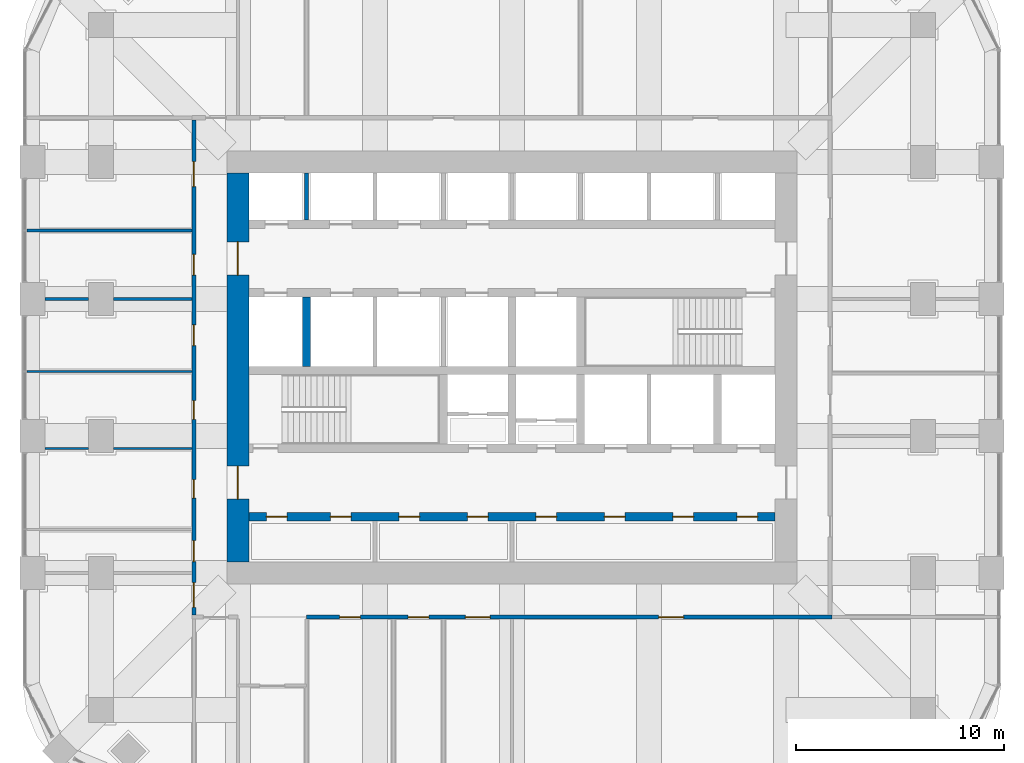
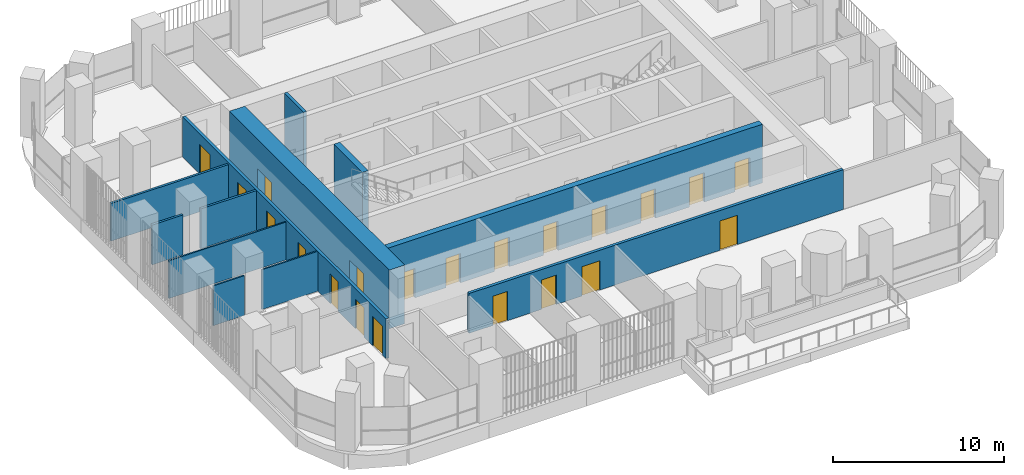
# One storey, part 13 of 19: 21 doors, 12 walls, 21 openings.
"""IFC4 building model written with IfcOpenShell, lengths in metres."""

from ifc_helpers import new_model, si_unit, direction, frame, frame_2d, origin, place, context, subcontext, project, spatial, rectangle, extrude, material, layer, layer_set, type_object, element, fill, save


model = new_model("IFC4")

# Units and contexts
model_context = context("Model", 3, precision=1e-05, world=origin(), true_north=direction((0.0, 1.0)))
body_context = subcontext(model_context, "Body", "Model", "MODEL_VIEW")
ifc_project = project(units=[si_unit("LENGTHUNIT", "METRE"), si_unit("AREAUNIT", "SQUARE_METRE"), si_unit("VOLUMEUNIT", "CUBIC_METRE"), si_unit("PLANEANGLEUNIT", "RADIAN"), si_unit("MASSUNIT", "GRAM", prefix="KILO")], contexts=[model_context])

# Site, building, storey
site_placement = place(None, origin())
site = spatial("IfcSite", under=ifc_project, at=site_placement, CompositionType="ELEMENT")
building_placement = place(site_placement, origin())
building = spatial("IfcBuilding", under=site, at=building_placement, Name="Cobogo Forest Laboratory Tower", CompositionType="ELEMENT")
storey_placement = place(building_placement, frame((0.0, 0.0, 164.10009765625)))
storey = spatial("IfcBuildingStorey", under=building, at=storey_placement, Name="L37", CompositionType="ELEMENT", Elevation=164.10009765625)

# Wall, openings, doors
ifc_material_1 = material(Name="Concrete HA-50 (C50/60)", Category="concrete")
ifc_layer_1 = layer(ifc_material_1, 0.39990234375)
ifc_layer_set_1 = layer_set([ifc_layer_1], Name="CI400 core inner wall 400")
wall_type_1 = type_object("IfcWallType", Name="CI400 core inner wall 400", PredefinedType="SHEAR", material=ifc_layer_set_1)
wall_1_placement = place(storey_placement, frame((13.72509765625, 15.89990234375, 0.0), z_axis=(0.0, 0.0, 1.0), x_axis=(1.0, 0.0, 0.0)))
wall_1 = element("IfcWall", 1, at=wall_1_placement, inside=storey, type_object=wall_type_1, Name="Core wall CI-15.9 L37", PredefinedType="SHEAR", context=body_context, shape_type="SweptSolid", body=[
    extrude(rectangle(XDim=25.349853515625, YDim=0.39990234375, at=frame_2d((12.6748046875, 0.0))), origin(), (0.0, 0.0, 1.0), 4.199951171875),
])
opening_1_placement = place(wall_1_placement, frame((0.83740234375, 0.0, 0.0)))
opening_1 = element("IfcOpeningElement", 2, at=opening_1_placement, cuts=wall_1, Name="Opening L37-D11", PredefinedType="OPENING", context=body_context, shape_type="SweptSolid", body=[
    extrude(rectangle(XDim=1.0, YDim=2.10009765625, at=frame_2d((0.5, 1.050048828125))), frame((0.0, 0.2099609375, 0.0), z_axis=(0.0, -1.0, 0.0), x_axis=(1.0, 0.0, 0.0)), (0.0, 0.0, 1.0), 0.419921875),
])
opening_2_placement = place(wall_1_placement, frame((3.925048828125, 0.0, 0.0)))
opening_2 = element("IfcOpeningElement", 3, at=opening_2_placement, cuts=wall_1, Name="Opening L37-D12", PredefinedType="OPENING", context=body_context, shape_type="SweptSolid", body=[
    extrude(rectangle(XDim=1.0, YDim=2.10009765625, at=frame_2d((0.5, 1.050048828125))), frame((0.0, 0.2099609375, 0.0), z_axis=(0.0, -1.0, 0.0), x_axis=(1.0, 0.0, 0.0)), (0.0, 0.0, 1.0), 0.419921875),
])
opening_3_placement = place(wall_1_placement, frame((7.22509765625, 0.0, 0.0)))
opening_3 = element("IfcOpeningElement", 4, at=opening_3_placement, cuts=wall_1, Name="Opening L37-D13", PredefinedType="OPENING", context=body_context, shape_type="SweptSolid", body=[
    extrude(rectangle(XDim=1.0, YDim=2.10009765625, at=frame_2d((0.5, 1.050048828125))), frame((0.0, 0.2099609375, 0.0), z_axis=(0.0, -1.0, 0.0), x_axis=(1.0, 0.0, 0.0)), (0.0, 0.0, 1.0), 0.419921875),
])
opening_4_placement = place(wall_1_placement, frame((10.52490234375, 0.0, 0.0)))
opening_4 = element("IfcOpeningElement", 5, at=opening_4_placement, cuts=wall_1, Name="Opening L37-D14", PredefinedType="OPENING", context=body_context, shape_type="SweptSolid", body=[
    extrude(rectangle(XDim=1.0, YDim=2.10009765625, at=frame_2d((0.5, 1.050048828125))), frame((0.0, 0.2099609375, 0.0), z_axis=(0.0, -1.0, 0.0), x_axis=(1.0, 0.0, 0.0)), (0.0, 0.0, 1.0), 0.419921875),
])
opening_5_placement = place(wall_1_placement, frame((13.824951171875, 0.0, 0.0)))
opening_5 = element("IfcOpeningElement", 6, at=opening_5_placement, cuts=wall_1, Name="Opening L37-D15", PredefinedType="OPENING", context=body_context, shape_type="SweptSolid", body=[
    extrude(rectangle(XDim=1.0, YDim=2.10009765625, at=frame_2d((0.5, 1.050048828125))), frame((0.0, 0.2099609375, 0.0), z_axis=(0.0, -1.0, 0.0), x_axis=(1.0, 0.0, 0.0)), (0.0, 0.0, 1.0), 0.419921875),
])
opening_6_placement = place(wall_1_placement, frame((17.125, 0.0, 0.0)))
opening_6 = element("IfcOpeningElement", 7, at=opening_6_placement, cuts=wall_1, Name="Opening L37-D16", PredefinedType="OPENING", context=body_context, shape_type="SweptSolid", body=[
    extrude(rectangle(XDim=1.0, YDim=2.10009765625, at=frame_2d((0.5, 1.050048828125))), frame((0.0, 0.2099609375, 0.0), z_axis=(0.0, -1.0, 0.0), x_axis=(1.0, 0.0, 0.0)), (0.0, 0.0, 1.0), 0.419921875),
])
opening_7_placement = place(wall_1_placement, frame((20.425048828125, 0.0, 0.0)))
opening_7 = element("IfcOpeningElement", 8, at=opening_7_placement, cuts=wall_1, Name="Opening L37-D17", PredefinedType="OPENING", context=body_context, shape_type="SweptSolid", body=[
    extrude(rectangle(XDim=1.0, YDim=2.10009765625, at=frame_2d((0.5, 1.050048828125))), frame((0.0, 0.2099609375, 0.0), z_axis=(0.0, -1.0, 0.0), x_axis=(1.0, 0.0, 0.0)), (0.0, 0.0, 1.0), 0.419921875),
])
opening_8_placement = place(wall_1_placement, frame((23.512451171875, 0.0, 0.0)))
opening_8 = element("IfcOpeningElement", 9, at=opening_8_placement, cuts=wall_1, Name="Opening L37-D18", PredefinedType="OPENING", context=body_context, shape_type="SweptSolid", body=[
    extrude(rectangle(XDim=1.0, YDim=2.10009765625, at=frame_2d((0.5, 1.050048828125))), frame((0.0, 0.2099609375, 0.0), z_axis=(0.0, -1.0, 0.0), x_axis=(1.0, 0.0, 0.0)), (0.0, 0.0, 1.0), 0.419921875),
])
ifc_material_2 = material(Name="Steel fire door", Category="steel")
door_type_1 = type_object("IfcDoorType", Name="FD1 fire door 1000 EI2 60", OperationType="SINGLE_SWING_LEFT", PredefinedType="DOOR", material=ifc_material_2)
door_1_placement = place(opening_1_placement, origin())
door_1 = element("IfcDoor", 10, at=door_1_placement, inside=storey, type_object=door_type_1, Name="Door L37-SH-LA1", OperationType="SINGLE_SWING_LEFT", OverallHeight=2.10009765625, OverallWidth=1.0, PredefinedType="DOOR", context=body_context, shape_type="SweptSolid", body=[
    extrude(rectangle(XDim=1.0, YDim=2.10009765625, at=frame_2d((0.5, 1.050048828125))), frame((0.0, 0.02490234375, 0.0), z_axis=(0.0, -1.0, 0.0), x_axis=(1.0, 0.0, 0.0)), (0.0, 0.0, 1.0), 0.050048828125),
])
fill(opening_1, door_1)
door_2_placement = place(opening_2_placement, origin())
door_2 = element("IfcDoor", 11, at=door_2_placement, inside=storey, type_object=door_type_1, Name="Door L37-SH-LA2", OperationType="SINGLE_SWING_LEFT", OverallHeight=2.10009765625, OverallWidth=1.0, PredefinedType="DOOR", context=body_context, shape_type="SweptSolid", body=[
    extrude(rectangle(XDim=1.0, YDim=2.10009765625, at=frame_2d((0.5, 1.050048828125))), frame((0.0, 0.02490234375, 0.0), z_axis=(0.0, -1.0, 0.0), x_axis=(1.0, 0.0, 0.0)), (0.0, 0.0, 1.0), 0.050048828125),
])
fill(opening_2, door_2)
door_3_placement = place(opening_3_placement, origin())
door_3 = element("IfcDoor", 12, at=door_3_placement, inside=storey, type_object=door_type_1, Name="Door L37-SH-LA3", OperationType="SINGLE_SWING_LEFT", OverallHeight=2.10009765625, OverallWidth=1.0, PredefinedType="DOOR", context=body_context, shape_type="SweptSolid", body=[
    extrude(rectangle(XDim=1.0, YDim=2.10009765625, at=frame_2d((0.5, 1.050048828125))), frame((0.0, 0.02490234375, 0.0), z_axis=(0.0, -1.0, 0.0), x_axis=(1.0, 0.0, 0.0)), (0.0, 0.0, 1.0), 0.050048828125),
])
fill(opening_3, door_3)
door_4_placement = place(opening_4_placement, origin())
door_4 = element("IfcDoor", 13, at=door_4_placement, inside=storey, type_object=door_type_1, Name="Door L37-SH-LA4", OperationType="SINGLE_SWING_LEFT", OverallHeight=2.10009765625, OverallWidth=1.0, PredefinedType="DOOR", context=body_context, shape_type="SweptSolid", body=[
    extrude(rectangle(XDim=1.0, YDim=2.10009765625, at=frame_2d((0.5, 1.050048828125))), frame((0.0, 0.02490234375, 0.0), z_axis=(0.0, -1.0, 0.0), x_axis=(1.0, 0.0, 0.0)), (0.0, 0.0, 1.0), 0.050048828125),
])
fill(opening_4, door_4)
door_5_placement = place(opening_5_placement, origin())
door_5 = element("IfcDoor", 14, at=door_5_placement, inside=storey, type_object=door_type_1, Name="Door L37-SH-LB1", OperationType="SINGLE_SWING_RIGHT", OverallHeight=2.10009765625, OverallWidth=1.0, PredefinedType="DOOR", context=body_context, shape_type="SweptSolid", body=[
    extrude(rectangle(XDim=1.0, YDim=2.10009765625, at=frame_2d((0.5, 1.050048828125))), frame((0.0, 0.02490234375, 0.0), z_axis=(0.0, -1.0, 0.0), x_axis=(1.0, 0.0, 0.0)), (0.0, 0.0, 1.0), 0.050048828125),
])
fill(opening_5, door_5)
door_6_placement = place(opening_6_placement, origin())
door_6 = element("IfcDoor", 15, at=door_6_placement, inside=storey, type_object=door_type_1, Name="Door L37-SH-LB2", OperationType="SINGLE_SWING_RIGHT", OverallHeight=2.10009765625, OverallWidth=1.0, PredefinedType="DOOR", context=body_context, shape_type="SweptSolid", body=[
    extrude(rectangle(XDim=1.0, YDim=2.10009765625, at=frame_2d((0.5, 1.050048828125))), frame((0.0, 0.02490234375, 0.0), z_axis=(0.0, -1.0, 0.0), x_axis=(1.0, 0.0, 0.0)), (0.0, 0.0, 1.0), 0.050048828125),
])
fill(opening_6, door_6)
door_7_placement = place(opening_7_placement, origin())
door_7 = element("IfcDoor", 16, at=door_7_placement, inside=storey, type_object=door_type_1, Name="Door L37-SH-LB3", OperationType="SINGLE_SWING_RIGHT", OverallHeight=2.10009765625, OverallWidth=1.0, PredefinedType="DOOR", context=body_context, shape_type="SweptSolid", body=[
    extrude(rectangle(XDim=1.0, YDim=2.10009765625, at=frame_2d((0.5, 1.050048828125))), frame((0.0, 0.02490234375, 0.0), z_axis=(0.0, -1.0, 0.0), x_axis=(1.0, 0.0, 0.0)), (0.0, 0.0, 1.0), 0.050048828125),
])
fill(opening_7, door_7)
door_8_placement = place(opening_8_placement, origin())
door_8 = element("IfcDoor", 17, at=door_8_placement, inside=storey, type_object=door_type_1, Name="Door L37-SH-LB4", OperationType="SINGLE_SWING_RIGHT", OverallHeight=2.10009765625, OverallWidth=1.0, PredefinedType="DOOR", context=body_context, shape_type="SweptSolid", body=[
    extrude(rectangle(XDim=1.0, YDim=2.10009765625, at=frame_2d((0.5, 1.050048828125))), frame((0.0, 0.02490234375, 0.0), z_axis=(0.0, -1.0, 0.0), x_axis=(1.0, 0.0, 0.0)), (0.0, 0.0, 1.0), 0.050048828125),
])
fill(opening_8, door_8)

# Wall
wall_2_placement = place(storey_placement, frame((16.5, 23.14990234375, 0.0), z_axis=(0.0, 0.0, 1.0), x_axis=(0.0, 1.0, 0.0)))
element("IfcWall", 18, at=wall_2_placement, inside=storey, type_object=wall_type_1, Name="Core wall CX-16.5 L37", PredefinedType="SHEAR", context=body_context, shape_type="SweptSolid", body=[
    extrude(rectangle(XDim=3.35009765625, YDim=0.39990234375, at=frame_2d((1.675048828125, 0.0))), origin(), (0.0, 0.0, 1.0), 4.199951171875),
])

# Wall, openings, doors
ifc_layer_2 = layer(ifc_material_1, 1.050048828125)
ifc_layer_set_2 = layer_set([ifc_layer_2], Name="CW1050 core outer wall 1050")
wall_type_2 = type_object("IfcWallType", Name="CW1050 core outer wall 1050", PredefinedType="SHEAR", material=ifc_layer_set_2)
wall_3_placement = place(storey_placement, frame((13.199951171875, 32.47509765625, 0.0), z_axis=(0.0, 0.0, 1.0), x_axis=(0.0, -1.0, 0.0)))
wall_3 = element("IfcWall", 19, at=wall_3_placement, inside=storey, type_object=wall_type_2, Name="Core wall CO-W L37", PredefinedType="SHEAR", context=body_context, shape_type="SweptSolid", body=[
    extrude(rectangle(XDim=18.75, YDim=1.050048828125, at=frame_2d((9.375, 0.0))), origin(), (0.0, 0.0, 1.0), 4.199951171875),
])
opening_9_placement = place(wall_3_placement, frame((14.125, 0.0, 0.0)))
opening_9 = element("IfcOpeningElement", 20, at=opening_9_placement, cuts=wall_3, Name="Opening L37-D20", PredefinedType="OPENING", context=body_context, shape_type="SweptSolid", body=[
    extrude(rectangle(XDim=1.60009765625, YDim=2.10009765625, at=frame_2d((0.800048828125, 1.050048828125))), frame((0.0, 0.534912109375, 0.0), z_axis=(0.0, -1.0, 0.0), x_axis=(1.0, 0.0, 0.0)), (0.0, 0.0, 1.0), 1.070068359375),
])
opening_10_placement = place(wall_3_placement, frame((3.324951171875, 0.0, 0.0)))
opening_10 = element("IfcOpeningElement", 21, at=opening_10_placement, cuts=wall_3, Name="Opening L37-D33", PredefinedType="OPENING", context=body_context, shape_type="SweptSolid", body=[
    extrude(rectangle(XDim=1.60009765625, YDim=2.10009765625, at=frame_2d((0.800048828125, 1.050048828125))), frame((0.0, 0.534912109375, 0.0), z_axis=(0.0, -1.0, 0.0), x_axis=(1.0, 0.0, 0.0)), (0.0, 0.0, 1.0), 1.070068359375),
])
door_type_2 = type_object("IfcDoorType", Name="DS2 protected lobby door pair 1600 EI2 60", OperationType="DOUBLE_DOOR_DOUBLE_SWING", PredefinedType="DOOR", material=ifc_material_2)
door_9_placement = place(opening_9_placement, origin())
door_9 = element("IfcDoor", 22, at=door_9_placement, inside=storey, type_object=door_type_2, Name="Door L37-CO-W-S", OperationType="DOUBLE_DOOR_DOUBLE_SWING", OverallHeight=2.10009765625, OverallWidth=1.60009765625, PredefinedType="DOOR", context=body_context, shape_type="SweptSolid", body=[
    extrude(rectangle(XDim=1.60009765625, YDim=2.10009765625, at=frame_2d((0.800048828125, 1.050048828125))), frame((0.0, 0.02490234375, 0.0), z_axis=(0.0, -1.0, 0.0), x_axis=(1.0, 0.0, 0.0)), (0.0, 0.0, 1.0), 0.050048828125),
])
fill(opening_9, door_9)
door_10_placement = place(opening_10_placement, origin())
door_10 = element("IfcDoor", 23, at=door_10_placement, inside=storey, type_object=door_type_2, Name="Door L37-CO-W-N", OperationType="DOUBLE_DOOR_DOUBLE_SWING", OverallHeight=2.10009765625, OverallWidth=1.60009765625, PredefinedType="DOOR", context=body_context, shape_type="SweptSolid", body=[
    extrude(rectangle(XDim=1.60009765625, YDim=2.10009765625, at=frame_2d((0.800048828125, 1.050048828125))), frame((0.0, 0.02490234375, 0.0), z_axis=(0.0, -1.0, 0.0), x_axis=(1.0, 0.0, 0.0)), (0.0, 0.0, 1.0), 0.050048828125),
])
fill(opening_10, door_10)

# Walls
ifc_material_3 = material(Name="Gypsum board on steel studs", Category="steel")
ifc_layer_3 = layer(ifc_material_3, 0.14990234375)
ifc_layer_set_3 = layer_set([ifc_layer_3], Name="PT1 laboratory partition 150")
wall_type_3 = type_object("IfcWallType", Name="PT1 laboratory partition 150", PredefinedType="PARTITIONING", material=ifc_layer_set_3)
wall_4_placement = place(storey_placement, frame((3.89990234375, 26.39990234375, 0.0), z_axis=(0.0, 0.0, 1.0), x_axis=(1.0, 0.0, 0.0)))
element("IfcWall", 24, at=wall_4_placement, inside=storey, type_object=wall_type_3, Name="Partition CUT-W26.4-1 L37", PredefinedType="PARTITIONING", context=body_context, shape_type="SweptSolid", body=[
    extrude(rectangle(XDim=2.10009765625, YDim=0.14990234375, at=frame_2d((1.050048828125, 0.0))), origin(), (0.0, 0.0, 1.0), 2.849853515625),
])
wall_5_placement = place(storey_placement, frame((7.199951171875, 26.39990234375, 0.0), z_axis=(0.0, 0.0, 1.0), x_axis=(1.0, 0.0, 0.0)))
element("IfcWall", 25, at=wall_5_placement, inside=storey, type_object=wall_type_3, Name="Partition CUT-W26.4-2 L37", PredefinedType="PARTITIONING", context=body_context, shape_type="SweptSolid", body=[
    extrude(rectangle(XDim=3.775146484375, YDim=0.14990234375, at=frame_2d((1.8876953125, 0.0))), origin(), (0.0, 0.0, 1.0), 2.849853515625),
])
wall_6_placement = place(storey_placement, frame((3.030029296875, 29.699951171875, 0.0), z_axis=(0.0, 0.0, 1.0), x_axis=(1.0, 0.0, 0.0)))
element("IfcWall", 26, at=wall_6_placement, inside=storey, type_object=wall_type_3, Name="Partition CUT-W29.7-1 L37", PredefinedType="PARTITIONING", context=body_context, shape_type="SweptSolid", body=[
    extrude(rectangle(XDim=7.945068359375, YDim=0.14990234375, at=frame_2d((3.97265625, 0.0))), origin(), (0.0, 0.0, 1.0), 2.699951171875),
])

# Wall, openings, doors
ifc_layer_4 = layer(ifc_material_3, 0.199951171875)
ifc_layer_set_4 = layer_set([ifc_layer_4], Name="PT2 fire-rated corridor partition 200")
wall_type_4 = type_object("IfcWallType", Name="PT2 fire-rated corridor partition 200", PredefinedType="PARTITIONING", material=ifc_layer_set_4)
wall_7_placement = place(storey_placement, frame((16.5, 11.074951171875, 0.0), z_axis=(0.0, 0.0, 1.0), x_axis=(1.0, 0.0, 0.0)))
wall_7 = element("IfcWall", 27, at=wall_7_placement, inside=storey, type_object=wall_type_4, Name="Partition CORR-S-2 L37", PredefinedType="PARTITIONING", context=body_context, shape_type="SweptSolid", body=[
    extrude(rectangle(XDim=25.324951171875, YDim=0.199951171875, at=frame_2d((12.66259765625, 0.0))), origin(), (0.0, 0.0, 1.0), 2.849853515625),
])
opening_11_placement = place(wall_7_placement, frame((1.60009765625, 0.0, 0.0)))
opening_11 = element("IfcOpeningElement", 28, at=opening_11_placement, cuts=wall_7, Name="Opening L37-D04", PredefinedType="OPENING", context=body_context, shape_type="SweptSolid", body=[
    extrude(rectangle(XDim=1.0, YDim=2.10009765625, at=frame_2d((0.5, 1.050048828125))), frame((0.0, 0.10986328125, 0.0), z_axis=(0.0, -1.0, 0.0), x_axis=(1.0, 0.0, 0.0)), (0.0, 0.0, 1.0), 0.219970703125),
])
opening_12_placement = place(wall_7_placement, frame((4.89990234375, 0.0, 0.0)))
opening_12 = element("IfcOpeningElement", 29, at=opening_12_placement, cuts=wall_7, Name="Opening L37-D05", PredefinedType="OPENING", context=body_context, shape_type="SweptSolid", body=[
    extrude(rectangle(XDim=1.0, YDim=2.10009765625, at=frame_2d((0.5, 1.050048828125))), frame((0.0, 0.10986328125, 0.0), z_axis=(0.0, -1.0, 0.0), x_axis=(1.0, 0.0, 0.0)), (0.0, 0.0, 1.0), 0.219970703125),
])
opening_13_placement = place(wall_7_placement, frame((7.64990234375, 0.0, 0.0)))
opening_13 = element("IfcOpeningElement", 30, at=opening_13_placement, cuts=wall_7, Name="Opening L37-D06", PredefinedType="OPENING", context=body_context, shape_type="SweptSolid", body=[
    extrude(rectangle(XDim=1.199951171875, YDim=2.10009765625, at=frame_2d((0.60009765625, 1.050048828125))), frame((0.0, 0.10986328125, 0.0), z_axis=(0.0, -1.0, 0.0), x_axis=(1.0, 0.0, 0.0)), (0.0, 0.0, 1.0), 0.219970703125),
])
opening_14_placement = place(wall_7_placement, frame((16.96240234375, 0.0, 0.0)))
opening_14 = element("IfcOpeningElement", 31, at=opening_14_placement, cuts=wall_7, Name="Opening L37-D07", PredefinedType="OPENING", context=body_context, shape_type="SweptSolid", body=[
    extrude(rectangle(XDim=1.199951171875, YDim=2.10009765625, at=frame_2d((0.60009765625, 1.050048828125))), frame((0.0, 0.10986328125, 0.0), z_axis=(0.0, -1.0, 0.0), x_axis=(1.0, 0.0, 0.0)), (0.0, 0.0, 1.0), 0.219970703125),
])
ifc_material_4 = material(Name="Timber door", Category="wood")
door_type_3 = type_object("IfcDoorType", Name="D2 laboratory door 1200 unequal pair", OperationType="DOUBLE_DOOR_SINGLE_SWING", PredefinedType="DOOR", material=ifc_material_4)
door_11_placement = place(opening_13_placement, origin())
door_11 = element("IfcDoor", 32, at=door_11_placement, inside=storey, type_object=door_type_3, Name="Door L37-S3", OperationType="DOUBLE_DOOR_SINGLE_SWING", OverallHeight=2.10009765625, OverallWidth=1.199951171875, PredefinedType="DOOR", context=body_context, shape_type="SweptSolid", body=[
    extrude(rectangle(XDim=1.199951171875, YDim=2.10009765625, at=frame_2d((0.60009765625, 1.050048828125))), frame((0.0, 0.02490234375, 0.0), z_axis=(0.0, -1.0, 0.0), x_axis=(1.0, 0.0, 0.0)), (0.0, 0.0, 1.0), 0.050048828125),
])
fill(opening_13, door_11)
door_12_placement = place(opening_14_placement, origin())
door_12 = element("IfcDoor", 33, at=door_12_placement, inside=storey, type_object=door_type_3, Name="Door L37-S4", OperationType="DOUBLE_DOOR_SINGLE_SWING", OverallHeight=2.10009765625, OverallWidth=1.199951171875, PredefinedType="DOOR", context=body_context, shape_type="SweptSolid", body=[
    extrude(rectangle(XDim=1.199951171875, YDim=2.10009765625, at=frame_2d((0.60009765625, 1.050048828125))), frame((0.0, 0.02490234375, 0.0), z_axis=(0.0, -1.0, 0.0), x_axis=(1.0, 0.0, 0.0)), (0.0, 0.0, 1.0), 0.050048828125),
])
fill(opening_14, door_12)
ifc_material_5 = material(Name="Timber fire door", Category="wood")
door_type_4 = type_object("IfcDoorType", Name="FD2 fire door 1000 EI2 30", OperationType="SINGLE_SWING_LEFT", PredefinedType="DOOR", material=ifc_material_5)
door_13_placement = place(opening_11_placement, origin())
door_13 = element("IfcDoor", 34, at=door_13_placement, inside=storey, type_object=door_type_4, Name="Door L37-MTG", OperationType="SINGLE_SWING_LEFT", OverallHeight=2.10009765625, OverallWidth=1.0, PredefinedType="DOOR", context=body_context, shape_type="SweptSolid", body=[
    extrude(rectangle(XDim=1.0, YDim=2.10009765625, at=frame_2d((0.5, 1.050048828125))), frame((0.0, 0.02490234375, 0.0), z_axis=(0.0, -1.0, 0.0), x_axis=(1.0, 0.0, 0.0)), (0.0, 0.0, 1.0), 0.050048828125),
])
fill(opening_11, door_13)
door_14_placement = place(opening_12_placement, origin())
door_14 = element("IfcDoor", 35, at=door_14_placement, inside=storey, type_object=door_type_4, Name="Door L37-PAN", OperationType="SINGLE_SWING_LEFT", OverallHeight=2.10009765625, OverallWidth=1.0, PredefinedType="DOOR", context=body_context, shape_type="SweptSolid", body=[
    extrude(rectangle(XDim=1.0, YDim=2.10009765625, at=frame_2d((0.5, 1.050048828125))), frame((0.0, 0.02490234375, 0.0), z_axis=(0.0, -1.0, 0.0), x_axis=(1.0, 0.0, 0.0)), (0.0, 0.0, 1.0), 0.050048828125),
])
fill(opening_12, door_14)

wall_8_placement = place(storey_placement, frame((11.074951171875, 11.175048828125, 0.0), z_axis=(0.0, 0.0, 1.0), x_axis=(0.0, 1.0, 0.0)))
wall_8 = element("IfcWall", 36, at=wall_8_placement, inside=storey, type_object=wall_type_4, Name="Partition CORR-W L37", PredefinedType="PARTITIONING", context=body_context, shape_type="SweptSolid", body=[
    extrude(rectangle(XDim=23.849853515625, YDim=0.199951171875, at=frame_2d((11.9248046875, 0.0))), origin(), (0.0, 0.0, 1.0), 2.849853515625),
])
opening_15_placement = place(wall_8_placement, frame((0.362548828125, 0.0, 0.0)))
opening_15 = element("IfcOpeningElement", 37, at=opening_15_placement, cuts=wall_8, Name="Opening L37-D08", PredefinedType="OPENING", context=body_context, shape_type="SweptSolid", body=[
    extrude(rectangle(XDim=1.199951171875, YDim=2.10009765625, at=frame_2d((0.60009765625, 1.050048828125))), frame((0.0, 0.10986328125, 0.0), z_axis=(0.0, -1.0, 0.0), x_axis=(1.0, 0.0, 0.0)), (0.0, 0.0, 1.0), 0.219970703125),
])
opening_16_placement = place(wall_8_placement, frame((2.574951171875, 0.0, 0.0)))
opening_16 = element("IfcOpeningElement", 38, at=opening_16_placement, cuts=wall_8, Name="Opening L37-D09", PredefinedType="OPENING", context=body_context, shape_type="SweptSolid", body=[
    extrude(rectangle(XDim=1.0, YDim=2.10009765625, at=frame_2d((0.5, 1.050048828125))), frame((0.0, 0.10986328125, 0.0), z_axis=(0.0, -1.0, 0.0), x_axis=(1.0, 0.0, 0.0)), (0.0, 0.0, 1.0), 0.219970703125),
])
opening_17_placement = place(wall_8_placement, frame((5.625, 0.0, 0.0)))
opening_17 = element("IfcOpeningElement", 39, at=opening_17_placement, cuts=wall_8, Name="Opening L37-D19", PredefinedType="OPENING", context=body_context, shape_type="SweptSolid", body=[
    extrude(rectangle(XDim=0.89990234375, YDim=2.10009765625, at=frame_2d((0.449951171875, 1.050048828125))), frame((0.0, 0.10986328125, 0.0), z_axis=(0.0, -1.0, 0.0), x_axis=(1.0, 0.0, 0.0)), (0.0, 0.0, 1.0), 0.219970703125),
])
opening_18_placement = place(wall_8_placement, frame((9.425048828125, 0.0, 0.0)))
opening_18 = element("IfcOpeningElement", 40, at=opening_18_placement, cuts=wall_8, Name="Opening L37-D27", PredefinedType="OPENING", context=body_context, shape_type="SweptSolid", body=[
    extrude(rectangle(XDim=0.89990234375, YDim=2.10009765625, at=frame_2d((0.449951171875, 1.050048828125))), frame((0.0, 0.10986328125, 0.0), z_axis=(0.0, -1.0, 0.0), x_axis=(1.0, 0.0, 0.0)), (0.0, 0.0, 1.0), 0.219970703125),
])
opening_19_placement = place(wall_8_placement, frame((12.97509765625, 0.0, 0.0)))
opening_19 = element("IfcOpeningElement", 41, at=opening_19_placement, cuts=wall_8, Name="Opening L37-D30", PredefinedType="OPENING", context=body_context, shape_type="SweptSolid", body=[
    extrude(rectangle(XDim=1.0, YDim=2.10009765625, at=frame_2d((0.5, 1.050048828125))), frame((0.0, 0.10986328125, 0.0), z_axis=(0.0, -1.0, 0.0), x_axis=(1.0, 0.0, 0.0)), (0.0, 0.0, 1.0), 0.219970703125),
])
opening_20_placement = place(wall_8_placement, frame((16.375, 0.0, 0.0)))
opening_20 = element("IfcOpeningElement", 42, at=opening_20_placement, cuts=wall_8, Name="Opening L37-D32", PredefinedType="OPENING", context=body_context, shape_type="SweptSolid", body=[
    extrude(rectangle(XDim=1.0, YDim=2.10009765625, at=frame_2d((0.5, 1.050048828125))), frame((0.0, 0.10986328125, 0.0), z_axis=(0.0, -1.0, 0.0), x_axis=(1.0, 0.0, 0.0)), (0.0, 0.0, 1.0), 0.219970703125),
])
opening_21_placement = place(wall_8_placement, frame((20.637451171875, 0.0, 0.0)))
opening_21 = element("IfcOpeningElement", 43, at=opening_21_placement, cuts=wall_8, Name="Opening L37-D36", PredefinedType="OPENING", context=body_context, shape_type="SweptSolid", body=[
    extrude(rectangle(XDim=1.199951171875, YDim=2.10009765625, at=frame_2d((0.60009765625, 1.050048828125))), frame((0.0, 0.10986328125, 0.0), z_axis=(0.0, -1.0, 0.0), x_axis=(1.0, 0.0, 0.0)), (0.0, 0.0, 1.0), 0.219970703125),
])
door_15_placement = place(opening_15_placement, origin())
door_15 = element("IfcDoor", 44, at=door_15_placement, inside=storey, type_object=door_type_3, Name="Door L37-W1", OperationType="DOUBLE_DOOR_SINGLE_SWING", OverallHeight=2.10009765625, OverallWidth=1.199951171875, PredefinedType="DOOR", context=body_context, shape_type="SweptSolid", body=[
    extrude(rectangle(XDim=1.199951171875, YDim=2.10009765625, at=frame_2d((0.60009765625, 1.050048828125))), frame((0.0, 0.02490234375, 0.0), z_axis=(0.0, -1.0, 0.0), x_axis=(1.0, 0.0, 0.0)), (0.0, 0.0, 1.0), 0.050048828125),
])
fill(opening_15, door_15)
door_16_placement = place(opening_21_placement, origin())
door_16 = element("IfcDoor", 45, at=door_16_placement, inside=storey, type_object=door_type_3, Name="Door L37-W4", OperationType="DOUBLE_DOOR_SINGLE_SWING", OverallHeight=2.10009765625, OverallWidth=1.199951171875, PredefinedType="DOOR", context=body_context, shape_type="SweptSolid", body=[
    extrude(rectangle(XDim=1.199951171875, YDim=2.10009765625, at=frame_2d((0.60009765625, 1.050048828125))), frame((0.0, 0.02490234375, 0.0), z_axis=(0.0, -1.0, 0.0), x_axis=(1.0, 0.0, 0.0)), (0.0, 0.0, 1.0), 0.050048828125),
])
fill(opening_21, door_16)
door_17_placement = place(opening_19_placement, origin())
door_17 = element("IfcDoor", 46, at=door_17_placement, inside=storey, type_object=door_type_4, Name="Door L37-SHW", OperationType="SINGLE_SWING_RIGHT", OverallHeight=2.10009765625, OverallWidth=1.0, PredefinedType="DOOR", context=body_context, shape_type="SweptSolid", body=[
    extrude(rectangle(XDim=1.0, YDim=2.10009765625, at=frame_2d((0.5, 1.050048828125))), frame((0.0, 0.02490234375, 0.0), z_axis=(0.0, -1.0, 0.0), x_axis=(1.0, 0.0, 0.0)), (0.0, 0.0, 1.0), 0.050048828125),
])
fill(opening_19, door_17)
door_18_placement = place(opening_20_placement, origin())
door_18 = element("IfcDoor", 47, at=door_18_placement, inside=storey, type_object=door_type_4, Name="Door L37-W3", OperationType="SINGLE_SWING_RIGHT", OverallHeight=2.10009765625, OverallWidth=1.0, PredefinedType="DOOR", context=body_context, shape_type="SweptSolid", body=[
    extrude(rectangle(XDim=1.0, YDim=2.10009765625, at=frame_2d((0.5, 1.050048828125))), frame((0.0, 0.02490234375, 0.0), z_axis=(0.0, -1.0, 0.0), x_axis=(1.0, 0.0, 0.0)), (0.0, 0.0, 1.0), 0.050048828125),
])
fill(opening_20, door_18)
door_type_5 = type_object("IfcDoorType", Name="FD3 toilet fire door 900 EI2 30", OperationType="SINGLE_SWING_LEFT", PredefinedType="DOOR", material=ifc_material_5)
door_19_placement = place(opening_17_placement, origin())
door_19 = element("IfcDoor", 48, at=door_19_placement, inside=storey, type_object=door_type_5, Name="Door L37-WCF", OperationType="SINGLE_SWING_LEFT", OverallHeight=2.10009765625, OverallWidth=0.89990234375, PredefinedType="DOOR", context=body_context, shape_type="SweptSolid", body=[
    extrude(rectangle(XDim=0.89990234375, YDim=2.10009765625, at=frame_2d((0.449951171875, 1.050048828125))), frame((0.0, 0.02490234375, 0.0), z_axis=(0.0, -1.0, 0.0), x_axis=(1.0, 0.0, 0.0)), (0.0, 0.0, 1.0), 0.050048828125),
])
fill(opening_17, door_19)
door_20_placement = place(opening_18_placement, origin())
door_20 = element("IfcDoor", 49, at=door_20_placement, inside=storey, type_object=door_type_5, Name="Door L37-WCM", OperationType="SINGLE_SWING_LEFT", OverallHeight=2.10009765625, OverallWidth=0.89990234375, PredefinedType="DOOR", context=body_context, shape_type="SweptSolid", body=[
    extrude(rectangle(XDim=0.89990234375, YDim=2.10009765625, at=frame_2d((0.449951171875, 1.050048828125))), frame((0.0, 0.02490234375, 0.0), z_axis=(0.0, -1.0, 0.0), x_axis=(1.0, 0.0, 0.0)), (0.0, 0.0, 1.0), 0.050048828125),
])
fill(opening_18, door_20)
door_type_6 = type_object("IfcDoorType", Name="FDA1 accessible toilet fire door 1000 EI2 30", OperationType="SINGLE_SWING_RIGHT", PredefinedType="DOOR", material=ifc_material_5)
door_21_placement = place(opening_16_placement, origin())
door_21 = element("IfcDoor", 50, at=door_21_placement, inside=storey, type_object=door_type_6, Name="Door L37-WCA", OperationType="SINGLE_SWING_LEFT", OverallHeight=2.10009765625, OverallWidth=1.0, PredefinedType="DOOR", context=body_context, shape_type="SweptSolid", body=[
    extrude(rectangle(XDim=1.0, YDim=2.10009765625, at=frame_2d((0.5, 1.050048828125))), frame((0.0, 0.02490234375, 0.0), z_axis=(0.0, -1.0, 0.0), x_axis=(1.0, 0.0, 0.0)), (0.0, 0.0, 1.0), 0.050048828125),
])
fill(opening_16, door_21)

# Walls
ifc_layer_5 = layer(ifc_material_3, 0.10009765625)
ifc_layer_set_5 = layer_set([ifc_layer_5], Name="PT3 toilet partition 100")
wall_type_5 = type_object("IfcWallType", Name="PT3 toilet partition 100", PredefinedType="PARTITIONING", material=ifc_layer_set_5)
wall_9_placement = place(storey_placement, frame((3.89990234375, 19.199951171875, 0.0), z_axis=(0.0, 0.0, 1.0), x_axis=(1.0, 0.0, 0.0)))
element("IfcWall", 51, at=wall_9_placement, inside=storey, type_object=wall_type_5, Name="Partition SVC-W2-1 L37", PredefinedType="PARTITIONING", context=body_context, shape_type="SweptSolid", body=[
    extrude(rectangle(XDim=2.10009765625, YDim=0.10009765625, at=frame_2d((1.050048828125, 0.0))), origin(), (0.0, 0.0, 1.0), 2.849853515625),
])
wall_10_placement = place(storey_placement, frame((7.199951171875, 19.199951171875, 0.0), z_axis=(0.0, 0.0, 1.0), x_axis=(1.0, 0.0, 0.0)))
element("IfcWall", 52, at=wall_10_placement, inside=storey, type_object=wall_type_5, Name="Partition SVC-W2-2 L37", PredefinedType="PARTITIONING", context=body_context, shape_type="SweptSolid", body=[
    extrude(rectangle(XDim=3.775146484375, YDim=0.10009765625, at=frame_2d((1.8876953125, 0.0))), origin(), (0.0, 0.0, 1.0), 2.849853515625),
])
wall_11_placement = place(storey_placement, frame((3.030029296875, 22.89990234375, 0.0), z_axis=(0.0, 0.0, 1.0), x_axis=(1.0, 0.0, 0.0)))
element("IfcWall", 53, at=wall_11_placement, inside=storey, type_object=wall_type_5, Name="Partition SVC-W3-1 L37", PredefinedType="PARTITIONING", context=body_context, shape_type="SweptSolid", body=[
    extrude(rectangle(XDim=7.945068359375, YDim=0.10009765625, at=frame_2d((3.97265625, 0.0))), origin(), (0.0, 0.0, 1.0), 2.699951171875),
])
ifc_material_6 = material(Name="Concrete block", Category="concrete")
ifc_layer_6 = layer(ifc_material_6, 0.199951171875)
ifc_layer_set_6 = layer_set([ifc_layer_6], Name="SW200 lift shaft separator 200")
wall_type_6 = type_object("IfcWallType", Name="SW200 lift shaft separator 200", PredefinedType="PARTITIONING", material=ifc_layer_set_6)
wall_12_placement = place(storey_placement, frame((16.5, 30.199951171875, 0.0), z_axis=(0.0, 0.0, 1.0), x_axis=(0.0, 1.0, 0.0)))
element("IfcWall", 54, at=wall_12_placement, inside=storey, type_object=wall_type_6, Name="Core wall SEP-N1 L37", PredefinedType="PARTITIONING", context=body_context, shape_type="SweptSolid", body=[
    extrude(rectangle(XDim=2.275146484375, YDim=0.199951171875, at=frame_2d((1.1376953125, 0.0))), origin(), (0.0, 0.0, 1.0), 4.199951171875),
])

save(model, "model.ifc")
